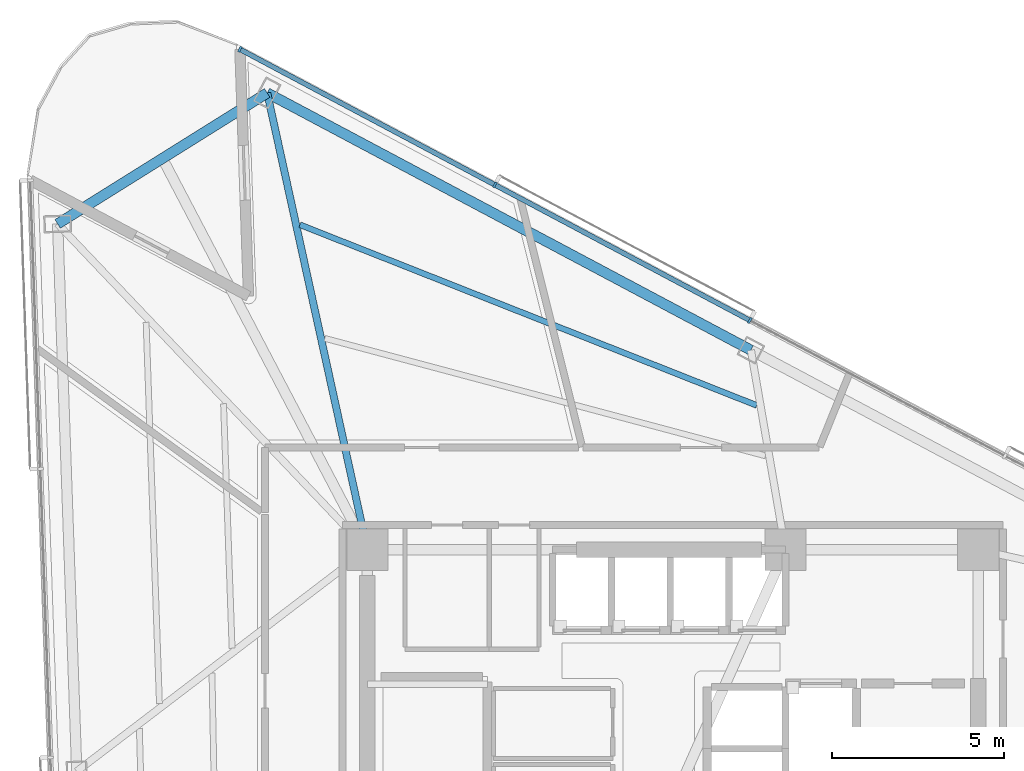
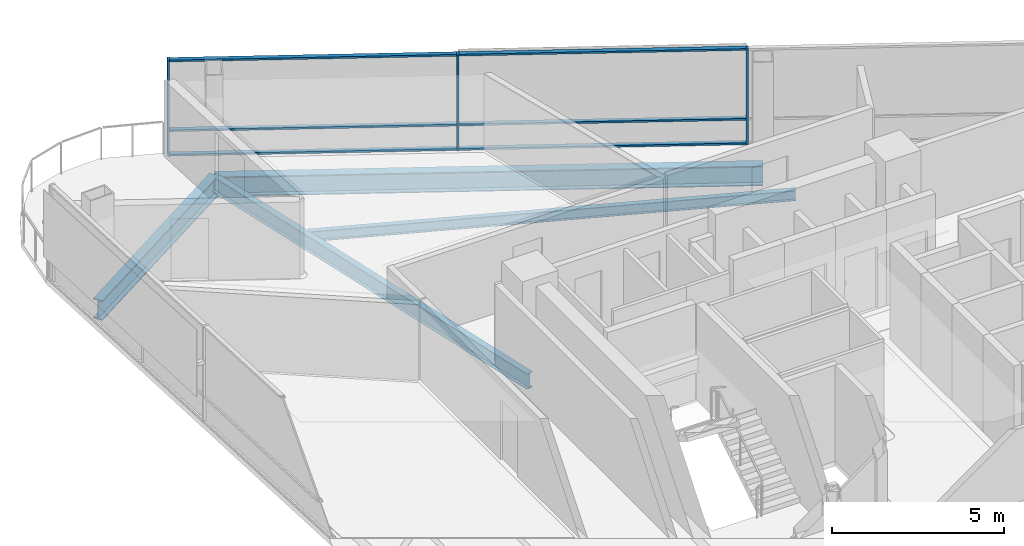
# One storey, part 9 of 20: 9 members, 4 beams, 1 element without a shape of its own.
"""IFC4 building model written with IfcOpenShell, lengths in metres."""

from ifc_helpers import new_model, si_unit, direction, frame, origin, origin_2d, place, context, subcontext, project, spatial, rectangle, i_section, extrude, material, layer, layer_set, material_profile, profile_set, type_object, element, aggregate, save


model = new_model("IFC4")

# Units and contexts
model_context = context("Model", 3, precision=1e-05, world=origin(), true_north=direction((0.0, 1.0)))
body_context = subcontext(model_context, "Body", "Model", "MODEL_VIEW")
ifc_project = project(units=[si_unit("LENGTHUNIT", "METRE"), si_unit("AREAUNIT", "SQUARE_METRE"), si_unit("VOLUMEUNIT", "CUBIC_METRE"), si_unit("PLANEANGLEUNIT", "RADIAN"), si_unit("MASSUNIT", "GRAM", prefix="KILO")], contexts=[model_context])

# Site, building, storey
site_placement = place(None, origin())
site = spatial("IfcSite", under=ifc_project, at=site_placement, CompositionType="ELEMENT")
building_placement = place(site_placement, origin())
building = spatial("IfcBuilding", under=site, at=building_placement, Name="Tharavind Bronze Gate", CompositionType="ELEMENT")
storey_placement = place(building_placement, frame((0.0, 0.0, 146.0)))
storey = spatial("IfcBuildingStorey", under=building, at=storey_placement, Name="L37", CompositionType="ELEMENT", Elevation=146.0)

# Curtain wall, members
ifc_material_1 = material(Name="Anodised Bronze Aluminium", Category="aluminium")
ifc_layer = layer(ifc_material_1, 0.219970703125)
ifc_layer_set = layer_set([ifc_layer], Name="Anodised Bronze Aluminium")
curtain_wall_type = type_object("IfcCurtainWallType", Name="UNITISED CURTAIN WALL MID OFFICE", PredefinedType="USERDEFINED", material=ifc_layer_set)
curtain_wall_placement = place(storey_placement, origin())
curtain_wall = element("IfcCurtainWall", 1, at=curtain_wall_placement, inside=storey, type_object=curtain_wall_type, Name="L37 unitised curtain wall mid office CW-L37-S3", ObjectType="UNITISED CURTAIN WALL", PredefinedType="USERDEFINED")
member_type_1 = type_object("IfcMemberType", Name="CURTAIN WALL BRONZE MULLION 65X180", PredefinedType="MULLION", material=ifc_material_1)
member_1_placement = place(storey_placement, frame((2.245361328125, 14.279052734375, 0.0), z_axis=(0.0, 0.0, 1.0), x_axis=(-0.882947592859, 0.469471562786, 0.0)))
member_1 = element("IfcMember", 2, at=member_1_placement, type_object=member_type_1, Name="CW-L37-S3 mullion 5", PredefinedType="MULLION", context=body_context, shape_type="SweptSolid", body=[
    extrude(rectangle(XDim=0.06494140625, YDim=0.179931640625, at=origin_2d()), origin(), (0.0, 0.0, 1.0), 3.409912109375),
])
member_2_placement = place(storey_placement, frame((-5.184326171875, 18.2294921875, 0.0), z_axis=(0.0, 0.0, 1.0), x_axis=(-0.882947592859, 0.469471562786, 0.0)))
member_2 = element("IfcMember", 3, at=member_2_placement, type_object=member_type_1, Name="CW-L37-S3 mullion 6", PredefinedType="MULLION", context=body_context, shape_type="SweptSolid", body=[
    extrude(rectangle(XDim=0.06494140625, YDim=0.179931640625, at=origin_2d()), origin(), (0.0, 0.0, 1.0), 3.409912109375),
])
member_3_placement = place(storey_placement, frame((-12.614013671875, 22.179931640625, 0.0), z_axis=(0.0, 0.0, 1.0), x_axis=(-0.882947592859, 0.469471562786, 0.0)))
member_3 = element("IfcMember", 4, at=member_3_placement, type_object=member_type_1, Name="CW-L37-S3 mullion 7", PredefinedType="MULLION", context=body_context, shape_type="SweptSolid", body=[
    extrude(rectangle(XDim=0.06494140625, YDim=0.179931640625, at=origin_2d()), origin(), (0.0, 0.0, 1.0), 3.409912109375),
])
member_type_2 = type_object("IfcMemberType", Name="CURTAIN WALL BRONZE TRANSOM 65X140", PredefinedType="USERDEFINED", material=ifc_material_1)
member_4_placement = place(storey_placement, frame((-1.469482421875, 16.25439453125, 0.0), z_axis=(0.0, 0.0, 1.0), x_axis=(-0.882947592859, 0.469471562786, 0.0)))
member_4 = element("IfcMember", 5, at=member_4_placement, type_object=member_type_2, Name="CW-L37-S3 transom TB5", ObjectType="TRANSOM", PredefinedType="USERDEFINED", context=body_context, shape_type="SweptSolid", body=[
    extrude(rectangle(XDim=8.361572265625, YDim=0.139892578125, at=origin_2d()), origin(), (0.0, 0.0, 1.0), 0.06494140625),
])
member_5_placement = place(storey_placement, frame((-1.469482421875, 16.25439453125, 0.867431640625), z_axis=(0.0, 0.0, 1.0), x_axis=(-0.882947592859, 0.469471562786, 0.0)))
member_5 = element("IfcMember", 6, at=member_5_placement, type_object=member_type_2, Name="CW-L37-S3 transom TS5", ObjectType="TRANSOM", PredefinedType="USERDEFINED", context=body_context, shape_type="SweptSolid", body=[
    extrude(rectangle(XDim=8.361572265625, YDim=0.139892578125, at=origin_2d()), origin(), (0.0, 0.0, 1.0), 0.06494140625),
])
member_6_placement = place(storey_placement, frame((-1.469482421875, 16.25439453125, 3.344970703125), z_axis=(0.0, 0.0, 1.0), x_axis=(-0.882947592859, 0.469471562786, 0.0)))
member_6 = element("IfcMember", 7, at=member_6_placement, type_object=member_type_2, Name="CW-L37-S3 transom TT5", ObjectType="TRANSOM", PredefinedType="USERDEFINED", context=body_context, shape_type="SweptSolid", body=[
    extrude(rectangle(XDim=8.361572265625, YDim=0.139892578125, at=origin_2d()), origin(), (0.0, 0.0, 1.0), 0.06494140625),
])
member_7_placement = place(storey_placement, frame((-8.899169921875, 20.20458984375, 0.0), z_axis=(0.0, 0.0, 1.0), x_axis=(-0.882947592859, 0.469471562786, 0.0)))
member_7 = element("IfcMember", 8, at=member_7_placement, type_object=member_type_2, Name="CW-L37-S3 transom TB6", ObjectType="TRANSOM", PredefinedType="USERDEFINED", context=body_context, shape_type="SweptSolid", body=[
    extrude(rectangle(XDim=8.361572265625, YDim=0.139892578125, at=origin_2d()), origin(), (0.0, 0.0, 1.0), 0.06494140625),
])
member_8_placement = place(storey_placement, frame((-8.899169921875, 20.20458984375, 0.867431640625), z_axis=(0.0, 0.0, 1.0), x_axis=(-0.882947592859, 0.469471562786, 0.0)))
member_8 = element("IfcMember", 9, at=member_8_placement, type_object=member_type_2, Name="CW-L37-S3 transom TS6", ObjectType="TRANSOM", PredefinedType="USERDEFINED", context=body_context, shape_type="SweptSolid", body=[
    extrude(rectangle(XDim=8.361572265625, YDim=0.139892578125, at=origin_2d()), origin(), (0.0, 0.0, 1.0), 0.06494140625),
])
member_9_placement = place(storey_placement, frame((-8.899169921875, 20.20458984375, 3.344970703125), z_axis=(0.0, 0.0, 1.0), x_axis=(-0.882947592859, 0.469471562786, 0.0)))
member_9 = element("IfcMember", 10, at=member_9_placement, type_object=member_type_2, Name="CW-L37-S3 transom TT6", ObjectType="TRANSOM", PredefinedType="USERDEFINED", context=body_context, shape_type="SweptSolid", body=[
    extrude(rectangle(XDim=8.361572265625, YDim=0.139892578125, at=origin_2d()), origin(), (0.0, 0.0, 1.0), 0.06494140625),
])
aggregate(curtain_wall, [member_1, member_2, member_3, member_4, member_5, member_6, member_7, member_8, member_9])

# Beams
ifc_material_2 = material(Name="Steel S355", Category="steel")
ifc_material_profile_1 = material_profile(ifc_material_2, i_section(OverallWidth=0.2099609375, OverallDepth=0.550048828125, WebThickness=0.010986328125, FlangeThickness=0.01708984375, at=origin_2d()), Name="IPE550")
ifc_profile_set_1 = profile_set([ifc_material_profile_1], Name="Steel S355")
beam_type_1 = type_object("IfcBeamType", Name="PRIMARY GIRDER IPE550", PredefinedType="USERDEFINED", material=ifc_profile_set_1)
beam_1_placement = place(storey_placement, frame((-11.819091796875, 20.90771484375, -0.465087890625), z_axis=(0.21426760531, -0.976774996258, 0.0), x_axis=(0.976774996258, 0.21426760531, 0.0)))
element("IfcBeam", 11, at=beam_1_placement, inside=storey, type_object=beam_type_1, Name="L37 primary girder ipe550 BM-L37-RAD12", ObjectType="GIRDER", PredefinedType="USERDEFINED", context=body_context, shape_type="SweptSolid", body=[
    extrude(i_section(OverallWidth=0.2099609375, OverallDepth=0.550048828125, WebThickness=0.010986328125, FlangeThickness=0.01708984375, at=origin_2d()), origin(), (0.0, 0.0, 1.0), 13.6240234375),
])
ifc_material_profile_2 = material_profile(ifc_material_2, i_section(OverallWidth=0.300048828125, OverallDepth=0.699951171875, WebThickness=0.01708984375, FlangeThickness=0.031982421875, at=origin_2d()), Name="HE700B")
ifc_profile_set_2 = profile_set([ifc_material_profile_2], Name="Steel S355")
beam_type_2 = type_object("IfcBeamType", Name="RING GIRDER HE700B", PredefinedType="USERDEFINED", material=ifc_profile_set_2)
beam_2_placement = place(storey_placement, frame((2.275634765625, 13.41357421875, -0.5400390625), z_axis=(-0.882951706672, 0.469463825747, 0.0), x_axis=(-0.469463825747, -0.882951706672, 0.0)))
element("IfcBeam", 12, at=beam_2_placement, inside=storey, type_object=beam_type_2, Name="L37 ring girder he700b BM-L37-PRG11", ObjectType="GIRDER", PredefinedType="USERDEFINED", context=body_context, shape_type="SweptSolid", body=[
    extrude(i_section(OverallWidth=0.300048828125, OverallDepth=0.699951171875, WebThickness=0.01708984375, FlangeThickness=0.031982421875, at=origin_2d()), origin(), (0.0, 0.0, 1.0), 15.963134765625),
])
beam_3_placement = place(storey_placement, frame((-11.819091796875, 20.90771484375, -0.5400390625), z_axis=(-0.848038306973, -0.52993492988, 0.0), x_axis=(0.52993492988, -0.848038306973, 0.0)))
element("IfcBeam", 13, at=beam_3_placement, inside=storey, type_object=beam_type_2, Name="L37 ring girder he700b BM-L37-PRG12", ObjectType="GIRDER", PredefinedType="USERDEFINED", context=body_context, shape_type="SweptSolid", body=[
    extrude(i_section(OverallWidth=0.300048828125, OverallDepth=0.699951171875, WebThickness=0.01708984375, FlangeThickness=0.031982421875, at=origin_2d()), origin(), (0.0, 0.0, 1.0), 7.19970703125),
])
ifc_material_profile_3 = material_profile(ifc_material_2, i_section(OverallWidth=0.169921875, OverallDepth=0.360107421875, WebThickness=0.008056640625, FlangeThickness=0.0126953125, at=origin_2d()), Name="IPE360")
ifc_profile_set_3 = profile_set([ifc_material_profile_3], Name="Steel S355")
beam_type_3 = type_object("IfcBeamType", Name="SECONDARY FLOOR JOIST IPE360", PredefinedType="JOIST", material=ifc_profile_set_3)
beam_4_placement = place(storey_placement, frame((2.44384765625, 11.803466796875, -0.3701171875), z_axis=(-0.929918939499, 0.367764552344, 0.0), x_axis=(-0.367764552344, -0.929918939499, 0.0)))
element("IfcBeam", 14, at=beam_4_placement, inside=storey, type_object=beam_type_3, Name="L37 secondary floor joist ipe360 BM-L37-JSTB11", PredefinedType="JOIST", context=body_context, shape_type="SweptSolid", body=[
    extrude(i_section(OverallWidth=0.169921875, OverallDepth=0.360107421875, WebThickness=0.008056640625, FlangeThickness=0.0126953125, at=origin_2d()), origin(), (0.0, 0.0, 1.0), 14.3125),
])

save(model, "model.ifc")
